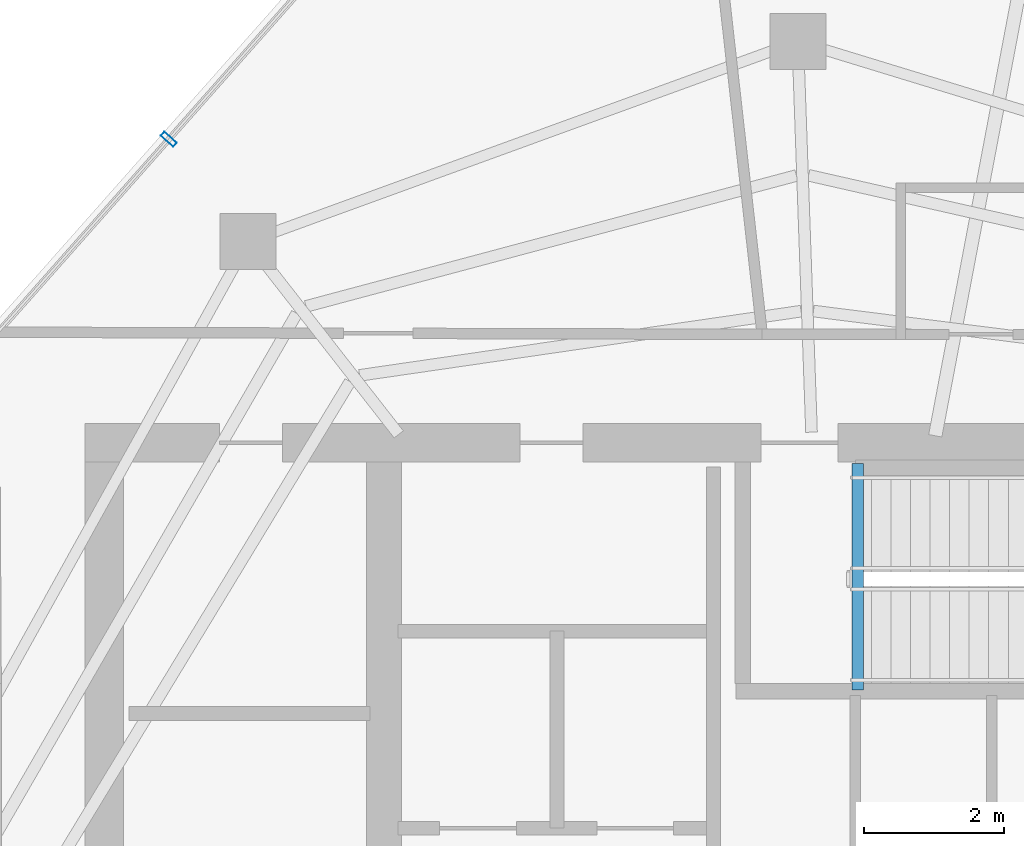
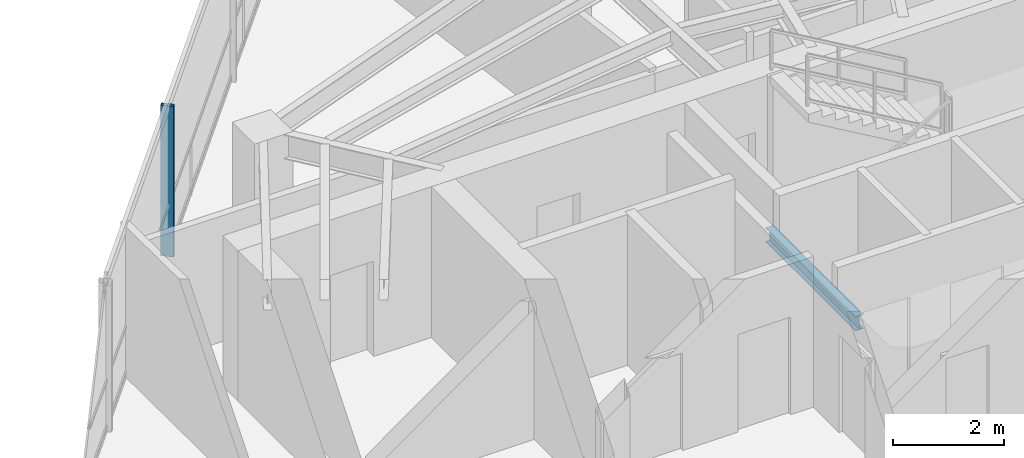
# One storey, part 8 of 18: 1 beam, 1 member, 1 element without a shape of its own.
"""IFC4 building model written with IfcOpenShell, lengths in metres."""

import ifcopenshell
import ifcopenshell.guid

model = None  # the IFC model being written
_history = None  # IfcOwnerHistory: only IFC2X3 demands one
_inside = {}  # id of a spatial element -> (the spatial element, [elements in it])
_under = {}  # id of a project, library or spatial element -> (it, [spatial elements below it])
_declared = {}  # id of a project -> (the project, [libraries it declares])
_typed = {}  # id of a type object -> (the type object, [elements of that type])
_made_of = {}  # id of a material, layer set ... -> (it, [elements and type objects made of it])


def new_model(schema):
    """Start an empty IFC model of exactly this schema.

    Asked for "IFC4X3", IfcOpenShell would pick the latest addendum, in which some entities
    have other attributes; the version numbers below select the first issue.
    IFC2X3 requires an IfcOwnerHistory on every rooted entity: one is made here for all.
    """
    global model, _history
    if schema == "IFC4X3":
        model = ifcopenshell.file(schema_version=(4, 3, 0, 0))
    else:
        model = ifcopenshell.file(schema=schema)
    _inside.clear()
    _under.clear()
    _declared.clear()
    _typed.clear()
    _made_of.clear()
    _history = None
    if model.schema == "IFC2X3":
        org = make("IfcOrganization", Name="unknown")
        user = make(
            "IfcPersonAndOrganization",
            ThePerson=make("IfcPerson", FamilyName="unknown"),
            TheOrganization=org,
        )
        app = make(
            "IfcApplication",
            ApplicationDeveloper=org,
            Version="unknown",
            ApplicationFullName="unknown",
            ApplicationIdentifier="unknown",
        )
        _history = make(
            "IfcOwnerHistory",
            OwningUser=user,
            OwningApplication=app,
            ChangeAction="ADDED",
            CreationDate=0,
        )
    return model


def make(cls, **values):
    """One entity of the class cls with the attributes given. An attribute that is None is left unset."""
    return model.create_entity(
        cls, **{name: value for name, value in values.items() if value is not None}
    )


def rooted(cls, **values):
    """An entity with a GlobalId (a new one), such as an element, a storey or a relation."""
    return make(cls, GlobalId=ifcopenshell.guid.new(), OwnerHistory=_history, **values)


def si_unit(unit_type, name, prefix=None):
    """IfcSIUnit, for example si_unit("LENGTHUNIT", "METRE", prefix="MILLI")."""
    return make("IfcSIUnit", UnitType=unit_type, Prefix=prefix, Name=name)


def assignment(units):
    """IfcUnitAssignment: the units of a project."""
    return None if units is None else make("IfcUnitAssignment", Units=units)


def point(xyz):
    """IfcCartesianPoint."""
    return None if xyz is None else make("IfcCartesianPoint", Coordinates=xyz)


def direction(xyz):
    """IfcDirection."""
    return None if xyz is None else make("IfcDirection", DirectionRatios=xyz)


def frame(location, z_axis=None, x_axis=None):
    """IfcAxis2Placement3D, a coordinate frame: its origin and axes. An axis left out is left unset."""
    return make(
        "IfcAxis2Placement3D",
        Location=point(location),
        Axis=direction(z_axis),
        RefDirection=direction(x_axis),
    )


def frame_2d(location, x_axis=None):
    """IfcAxis2Placement2D, a coordinate frame in the plane: its origin and x axis."""
    return make(
        "IfcAxis2Placement2D", Location=point(location), RefDirection=direction(x_axis)
    )


def origin():
    """The frame at (0, 0, 0) with its axes left unset."""
    return frame((0.0, 0.0, 0.0))


def origin_2d():
    """The frame at (0, 0) in the plane with its x axis left unset."""
    return frame_2d((0.0, 0.0))


def place(relative_to, where):
    """IfcLocalPlacement: puts the frame where relative to a parent placement (None: the world)."""
    return make(
        "IfcLocalPlacement", PlacementRelTo=relative_to, RelativePlacement=where
    )


def context(
    kind, dimensions, precision=None, world=None, true_north=None, identifier=None
):
    """IfcGeometricRepresentationContext, for example the 3D "Model" context."""
    return make(
        "IfcGeometricRepresentationContext",
        ContextIdentifier=identifier,
        ContextType=kind,
        CoordinateSpaceDimension=dimensions,
        Precision=precision,
        WorldCoordinateSystem=world,
        TrueNorth=true_north,
    )


def subcontext(parent, identifier, kind, view, scale=None):
    """IfcGeometricRepresentationSubContext, for example "Body" below "Model"."""
    return make(
        "IfcGeometricRepresentationSubContext",
        ContextIdentifier=identifier,
        ContextType=kind,
        ParentContext=parent,
        TargetScale=scale,
        TargetView=view,
    )


def project(units=None, contexts=None):
    """IfcProject with its units and contexts."""
    return rooted(
        "IfcProject",
        Name="project",
        RepresentationContexts=contexts,
        UnitsInContext=assignment(units),
    )


def spatial(cls, under=None, at=None, **own):
    """A site, building, storey or space (cls), placed at a placement, below another one or the project."""
    s = rooted(cls, ObjectPlacement=at, **own)
    if under is not None:
        _under.setdefault(under.id(), (under, []))[1].append(s)
    return s


def profile(cls, at=None, kind="AREA", **sizes):
    """A parametric profile (cls). Its sizes go by their IFC names, for example OverallWidth=200.0."""
    return make(cls, ProfileType=kind, Position=at, **sizes)


def hollow_rectangle(**sizes):
    """IfcRectangleHollowProfileDef."""
    return profile("IfcRectangleHollowProfileDef", **sizes)


def i_section(**sizes):
    """IfcIShapeProfileDef."""
    return profile("IfcIShapeProfileDef", **sizes)


def extrude(swept, where, along, depth):
    """IfcExtrudedAreaSolid: the profile swept, set in the frame where, extruded along a direction by depth."""
    return make(
        "IfcExtrudedAreaSolid",
        SweptArea=swept,
        Position=where,
        ExtrudedDirection=direction(along),
        Depth=depth,
    )


def shape(context_of_items, identifier, shape_type, items):
    """IfcShapeRepresentation: the items that make up one representation, for example the "Body"."""
    return make(
        "IfcShapeRepresentation",
        ContextOfItems=context_of_items,
        RepresentationIdentifier=identifier,
        RepresentationType=shape_type,
        Items=items,
    )


def material(Name=None, Category=None):
    """IfcMaterial."""
    return make("IfcMaterial", Name=Name, Category=Category)


def layer(
    of_material, thickness, ventilated=None, Name=None, Category=None, Priority=None
):
    """IfcMaterialLayer: one layer of a wall or slab, of a material (None: an air gap)."""
    return make(
        "IfcMaterialLayer",
        Material=of_material,
        LayerThickness=thickness,
        IsVentilated=ventilated,
        Name=Name,
        Category=Category,
        Priority=Priority,
    )


def layer_set(layers, Name=None):
    """IfcMaterialLayerSet."""
    return make("IfcMaterialLayerSet", MaterialLayers=layers, LayerSetName=Name)


def material_profile(
    of_material, cross_section, Name=None, Category=None, Priority=None
):
    """IfcMaterialProfile: a cross section and its material."""
    return make(
        "IfcMaterialProfile",
        Name=Name,
        Material=of_material,
        Profile=cross_section,
        Priority=Priority,
        Category=Category,
    )


def profile_set(profiles, Name=None, composite=None):
    """IfcMaterialProfileSet."""
    return make(
        "IfcMaterialProfileSet",
        Name=Name,
        MaterialProfiles=profiles,
        CompositeProfile=composite,
    )


def made_of(thing, what):
    """Note that an element or type object is made of a material, layer set ...; save() writes the relation."""
    if what is not None:
        _made_of.setdefault(what.id(), (what, []))[1].append(thing)
    return thing


def type_object(cls, material=None, **own):
    """A type object (cls), such as IfcWallType, which elements share."""
    return made_of(rooted(cls, **own), material)


def element(
    cls,
    number,
    at=None,
    inside=None,
    cuts=None,
    type_object=None,
    material=None,
    context=None,
    identifier="Body",
    shape_type=None,
    held_by="IfcProductDefinitionShape",
    body=None,
    shapes=None,
    **own,
):
    """One element of the class cls, such as IfcWall. Its Tag is "e" and its number.

    at: its placement. inside: the storey or other place that contains it. cuts: it is an
    opening in that element (IfcRelVoidsElement). A single representation is given by context,
    identifier, shape_type and body (its items); several are given by shapes. held_by: the class
    of the entity that holds the representations. save() writes the other relations.
    """
    e = rooted(cls, Tag="e%d" % number, ObjectPlacement=at, **own)
    if body is not None:
        shapes = [shape(context, identifier, shape_type, body)]
    if shapes is not None:
        e.Representation = make(held_by, Representations=shapes)
    if inside is not None:
        _inside.setdefault(inside.id(), (inside, []))[1].append(e)
    if cuts is not None:
        rooted(
            "IfcRelVoidsElement", RelatingBuildingElement=cuts, RelatedOpeningElement=e
        )
    if type_object is not None:
        _typed.setdefault(type_object.id(), (type_object, []))[1].append(e)
    return made_of(e, material)


def aggregate(whole, parts):
    """IfcRelAggregates: a whole, such as a stair, and the parts it consists of."""
    return rooted("IfcRelAggregates", RelatingObject=whole, RelatedObjects=parts)


def save(model, path):
    """Write the relations noted so far, then the file.

    IfcRelAggregates (storeys below a building ...), IfcRelContainedInSpatialStructure (elements
    in a storey), IfcRelDefinesByType, IfcRelAssociatesMaterial and IfcRelDeclares: one each for
    every whole, place, type object, material and project.
    """
    for whole, parts in _under.values():
        aggregate(whole, parts)
    for where, things in _inside.values():
        rooted(
            "IfcRelContainedInSpatialStructure",
            RelatedElements=things,
            RelatingStructure=where,
        )
    for kind, things in _typed.values():
        rooted("IfcRelDefinesByType", RelatedObjects=things, RelatingType=kind)
    for what, things in _made_of.values():
        rooted("IfcRelAssociatesMaterial", RelatedObjects=things, RelatingMaterial=what)
    for by, libraries in _declared.values():
        rooted("IfcRelDeclares", RelatingContext=by, RelatedDefinitions=libraries)
    model.write(path)


model = new_model("IFC4")

# Units and contexts
model_context = context("Model", 3, precision=1e-05, world=origin(), true_north=direction((0.0, 1.0)))
body_context = subcontext(model_context, "Body", "Model", "MODEL_VIEW")
ifc_project = project(units=[si_unit("LENGTHUNIT", "METRE"), si_unit("AREAUNIT", "SQUARE_METRE"), si_unit("VOLUMEUNIT", "CUBIC_METRE"), si_unit("PLANEANGLEUNIT", "RADIAN"), si_unit("MASSUNIT", "GRAM", prefix="KILO")], contexts=[model_context])

# Site, building, storey
site_placement = place(None, origin())
site = spatial("IfcSite", under=ifc_project, at=site_placement, CompositionType="ELEMENT")
building_placement = place(site_placement, origin())
building = spatial("IfcBuilding", under=site, at=building_placement, Name="Qarnah Convention Tower", CompositionType="ELEMENT")
storey_placement = place(building_placement, frame((0.0, 0.0, 249.89990234375)))
storey = spatial("IfcBuildingStorey", under=building, at=storey_placement, Name="L67", CompositionType="ELEMENT", Elevation=249.89990234375)

# Beam
ifc_material_1 = material(Name="Structural steel S355JR", Category="steel")
ifc_material_profile_1 = material_profile(ifc_material_1, i_section(OverallWidth=0.166015625, OverallDepth=0.31201171875, WebThickness=0.007080078125, FlangeThickness=0.010986328125, at=origin_2d()), Name="W310X45")
ifc_profile_set_1 = profile_set([ifc_material_profile_1], Name="Structural steel S355JR")
beam_type = type_object("IfcBeamType", Name="BM-JST-W310", PredefinedType="JOIST", material=ifc_profile_set_1)
beam_placement = place(storey_placement, frame((37.5830078125, 30.659912109375, -0.156005859375), z_axis=(0.0, 1.0, 0.0), x_axis=(-1.0, 0.0, 0.0)))
element("IfcBeam", 1, at=beam_placement, inside=storey, type_object=beam_type, Name="L67 stair landing trimmer beam BM-L67-ST3-TRM", PredefinedType="BEAM", context=body_context, shape_type="SweptSolid", body=[
    extrude(i_section(OverallWidth=0.166015625, OverallDepth=0.31201171875, WebThickness=0.007080078125, FlangeThickness=0.010986328125, at=origin_2d()), origin(), (0.0, 0.0, 1.0), 3.239990234375),
])

# Curtain wall, member
ifc_material_2 = material(Name="Tempered Low-E dark glass", Category="glass")
ifc_layer = layer(ifc_material_2, 0.176025390625)
ifc_layer_set = layer_set([ifc_layer], Name="Tempered Low-E dark glass")
curtain_wall_type = type_object("IfcCurtainWallType", Name="CWS-05", PredefinedType="NOTDEFINED", material=ifc_layer_set)
curtain_wall_placement = place(storey_placement, origin())
curtain_wall = element("IfcCurtainWall", 2, at=curtain_wall_placement, inside=storey, type_object=curtain_wall_type, Name="L67 unitised curtain wall CW-L67-F2", PredefinedType="NOTDEFINED")
ifc_material_3 = material(Name="Black anodised aluminium", Category="aluminium")
ifc_material_profile_2 = material_profile(ifc_material_3, hollow_rectangle(XDim=0.080078125, YDim=0.239990234375, WallThickness=0.0048828125, at=origin_2d()), Name="MUL-80X240")
ifc_profile_set_2 = profile_set([ifc_material_profile_2], Name="Black anodised aluminium")
member_type = type_object("IfcMemberType", Name="MUL-T5", PredefinedType="MULLION", material=ifc_profile_set_2)
member_placement = place(storey_placement, frame((27.720703125, 38.54248046875, 0.0), z_axis=(0.0, 0.0, 1.0), x_axis=(0.662883533537, 0.748722526017, 0.0)))
member = element("IfcMember", 3, at=member_placement, type_object=member_type, Name="CW-L67-F2 mullion 4", PredefinedType="MULLION", context=body_context, shape_type="SweptSolid", body=[
    extrude(hollow_rectangle(XDim=0.080078125, YDim=0.239990234375, WallThickness=0.0048828125, at=origin_2d()), origin(), (0.0, 0.0, 1.0), 3.320068359375),
])
aggregate(curtain_wall, [member])

save(model, "model.ifc")
